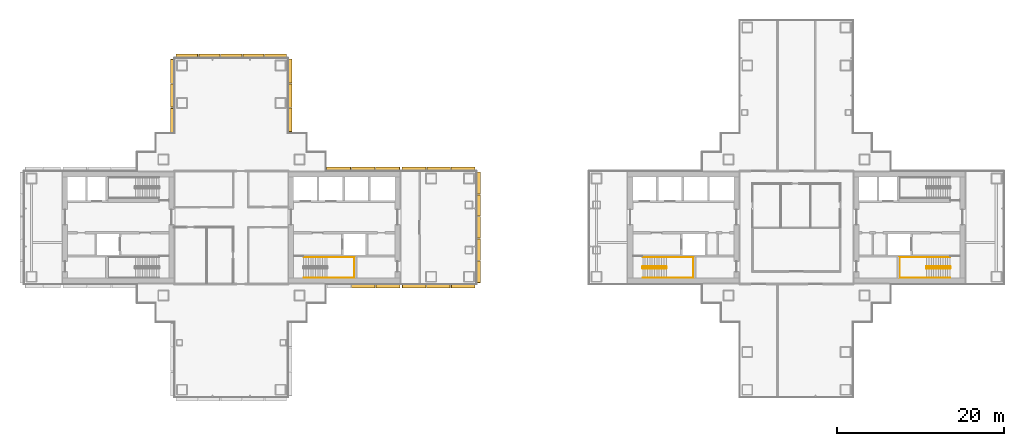
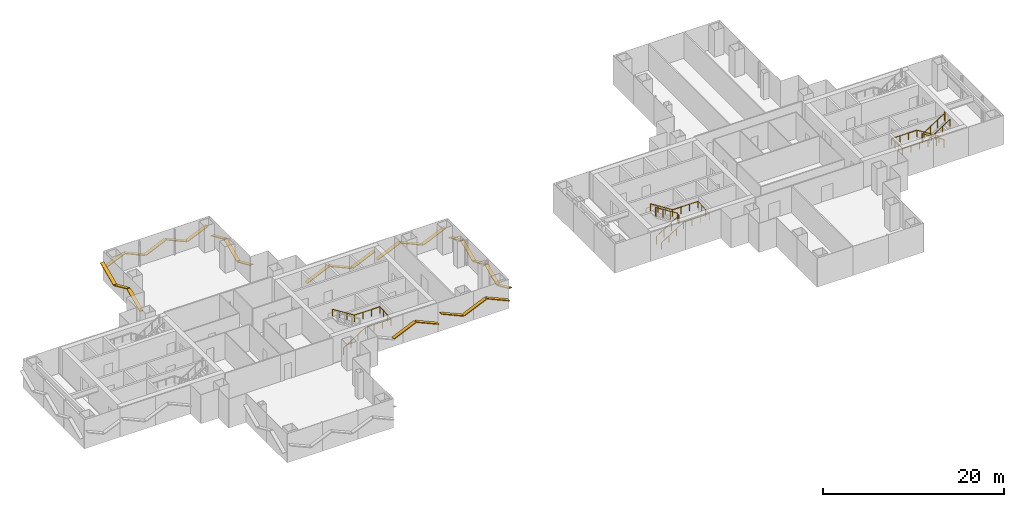
# One storey, part 17 of 18: 27 shading devices, 5 railings.
"""IFC4 building model written with IfcOpenShell, lengths in metres."""

from ifc_helpers import new_model, si_unit, direction, frame, origin, origin_2d, place, context, subcontext, project, spatial, rectangle, circle, extrude, material, material_profile, profile_set, type_object, element, save


model = new_model("IFC4")

# Units and contexts
model_context = context("Model", 3, precision=1e-05, world=origin(), true_north=direction((0.0, 1.0)))
body_context = subcontext(model_context, "Body", "Model", "MODEL_VIEW")
ifc_project = project(units=[si_unit("LENGTHUNIT", "METRE"), si_unit("AREAUNIT", "SQUARE_METRE"), si_unit("VOLUMEUNIT", "CUBIC_METRE"), si_unit("PLANEANGLEUNIT", "RADIAN"), si_unit("MASSUNIT", "GRAM", prefix="KILO")], contexts=[model_context])

# Site, building, storey
site_placement = place(None, origin())
site = spatial("IfcSite", under=ifc_project, at=site_placement, CompositionType="ELEMENT")
building_placement = place(site_placement, origin())
building = spatial("IfcBuilding", under=site, at=building_placement, Name="Shamsa Quay Exchange Towers", CompositionType="ELEMENT")
storey_placement = place(building_placement, frame((0.0, 0.0, 117.0)))
storey = spatial("IfcBuildingStorey", under=building, at=storey_placement, Name="L27", CompositionType="ELEMENT", Elevation=117.0)

# Shading devices
ifc_material_1 = material(Name="Aluminium EN AW-6063 T6, black anodised", Category="aluminium")
ifc_material_profile = material_profile(ifc_material_1, rectangle(XDim=0.449951171875, YDim=0.10009765625, at=origin_2d()), Name="FIN450x100")
ifc_profile_set = profile_set([ifc_material_profile], Name="Aluminium EN AW-6063 T6, black anodised")
shading_device_type = type_object("IfcShadingDeviceType", Name="FIN 450x100 BLACK ALUMINIUM", PredefinedType="USERDEFINED", material=ifc_profile_set)
shading_device_1_placement = place(storey_placement, frame((-19.374755859375, -7.01904296875, 0.9794921875), z_axis=(0.913550687431, 0.0, 0.406724896576), x_axis=(0.0, 1.0, 0.0)))
element("IfcShadingDevice", 1, at=shading_device_1_placement, inside=storey, type_object=shading_device_type, Name="FIN T1 chevron rib", ObjectType="FIN", PredefinedType="USERDEFINED", context=body_context, shape_type="SweptSolid", body=[
    extrude(rectangle(XDim=0.449951171875, YDim=0.10009765625, at=origin_2d()), origin(), (0.0, 0.0, 1.0), 3.051025390625),
])
shading_device_2_placement = place(storey_placement, frame((-16.4873046875, -7.01904296875, 2.231689453125), z_axis=(0.913529328323, 0.0, -0.406772868187), x_axis=(0.0, 1.0, 0.0)))
element("IfcShadingDevice", 2, at=shading_device_2_placement, inside=storey, type_object=shading_device_type, Name="FIN T1 chevron rib", ObjectType="FIN", PredefinedType="USERDEFINED", context=body_context, shape_type="SweptSolid", body=[
    extrude(rectangle(XDim=0.449951171875, YDim=0.10009765625, at=origin_2d()), origin(), (0.0, 0.0, 1.0), 3.10595703125),
])
shading_device_3_placement = place(storey_placement, frame((-13.35009765625, -7.014892578125, 2.234375), z_axis=(0.913562893981, 0.0, -0.406697478158), x_axis=(0.0, 1.0, 0.0)))
element("IfcShadingDevice", 3, at=shading_device_3_placement, inside=storey, type_object=shading_device_type, Name="FIN T1 chevron rib", ObjectType="FIN", PredefinedType="USERDEFINED", context=body_context, shape_type="SweptSolid", body=[
    extrude(rectangle(XDim=0.449951171875, YDim=0.10009765625, at=origin_2d()), origin(), (0.0, 0.0, 1.0), 3.119873046875),
])
shading_device_4_placement = place(storey_placement, frame((-10.39990234375, -7.014892578125, 0.9765625), z_axis=(0.913512380128, 0.0, 0.406810928262), x_axis=(0.0, 1.0, 0.0)))
element("IfcShadingDevice", 4, at=shading_device_4_placement, inside=storey, type_object=shading_device_type, Name="FIN T1 chevron rib", ObjectType="FIN", PredefinedType="USERDEFINED", context=body_context, shape_type="SweptSolid", body=[
    extrude(rectangle(XDim=0.449951171875, YDim=0.10009765625, at=origin_2d()), origin(), (0.0, 0.0, 1.0), 3.06494140625),
])
shading_device_5_placement = place(storey_placement, frame((-7.5, -7.014892578125, 2.234375), z_axis=(0.913562893981, 0.0, -0.406697478158), x_axis=(0.0, 1.0, 0.0)))
element("IfcShadingDevice", 5, at=shading_device_5_placement, inside=storey, type_object=shading_device_type, Name="FIN T1 chevron rib", ObjectType="FIN", PredefinedType="USERDEFINED", context=body_context, shape_type="SweptSolid", body=[
    extrude(rectangle(XDim=0.449951171875, YDim=0.10009765625, at=origin_2d()), origin(), (0.0, 0.0, 1.0), 3.119873046875),
])
shading_device_6_placement = place(storey_placement, frame((-4.235107421875, -6.60009765625, 2.176513671875), z_axis=(0.0, 0.91355925163, -0.406705659859), x_axis=(-1.0, 0.0, 0.0)))
element("IfcShadingDevice", 6, at=shading_device_6_placement, inside=storey, type_object=shading_device_type, Name="FIN T1 chevron rib", ObjectType="FIN", PredefinedType="USERDEFINED", context=body_context, shape_type="SweptSolid", body=[
    extrude(rectangle(XDim=0.449951171875, YDim=0.10009765625, at=origin_2d()), origin(), (0.0, 0.0, 1.0), 2.835205078125),
])
shading_device_7_placement = place(storey_placement, frame((-4.235107421875, -3.909912109375, 1.03466796875), z_axis=(0.0, 0.913536125794, 0.406757602103), x_axis=(-1.0, 0.0, 0.0)))
element("IfcShadingDevice", 7, at=shading_device_7_placement, inside=storey, type_object=shading_device_type, Name="FIN T1 chevron rib", ObjectType="FIN", PredefinedType="USERDEFINED", context=body_context, shape_type="SweptSolid", body=[
    extrude(rectangle(XDim=0.449951171875, YDim=0.10009765625, at=origin_2d()), origin(), (0.0, 0.0, 1.0), 2.7802734375),
])
shading_device_8_placement = place(storey_placement, frame((-4.235107421875, -1.27001953125, 2.16552734375), z_axis=(0.0, 0.913550653139, -0.4067249736), x_axis=(-1.0, 0.0, 0.0)))
element("IfcShadingDevice", 8, at=shading_device_8_placement, inside=storey, type_object=shading_device_type, Name="FIN T1 chevron rib", ObjectType="FIN", PredefinedType="USERDEFINED", context=body_context, shape_type="SweptSolid", body=[
    extrude(rectangle(XDim=0.449951171875, YDim=0.10009765625, at=origin_2d()), origin(), (0.0, 0.0, 1.0), 2.780517578125),
])
shading_device_9_placement = place(storey_placement, frame((-4.235107421875, 1.3701171875, 1.03466796875), z_axis=(0.0, 0.913536125794, 0.406757602103), x_axis=(-1.0, 0.0, 0.0)))
element("IfcShadingDevice", 9, at=shading_device_9_placement, inside=storey, type_object=shading_device_type, Name="FIN T1 chevron rib", ObjectType="FIN", PredefinedType="USERDEFINED", context=body_context, shape_type="SweptSolid", body=[
    extrude(rectangle(XDim=0.449951171875, YDim=0.10009765625, at=origin_2d()), origin(), (0.0, 0.0, 1.0), 2.7802734375),
])
shading_device_10_placement = place(storey_placement, frame((-4.235107421875, 4.010009765625, 2.176513671875), z_axis=(0.0, 0.91355925163, -0.406705659859), x_axis=(-1.0, 0.0, 0.0)))
element("IfcShadingDevice", 10, at=shading_device_10_placement, inside=storey, type_object=shading_device_type, Name="FIN T1 chevron rib", ObjectType="FIN", PredefinedType="USERDEFINED", context=body_context, shape_type="SweptSolid", body=[
    extrude(rectangle(XDim=0.449951171875, YDim=0.10009765625, at=origin_2d()), origin(), (0.0, 0.0, 1.0), 2.835205078125),
])
shading_device_11_placement = place(storey_placement, frame((-4.64990234375, 7.014892578125, 2.234375), z_axis=(-0.913562893981, 0.0, -0.406697478158), x_axis=(0.0, -1.0, 0.0)))
element("IfcShadingDevice", 11, at=shading_device_11_placement, inside=storey, type_object=shading_device_type, Name="FIN T1 chevron rib", ObjectType="FIN", PredefinedType="USERDEFINED", context=body_context, shape_type="SweptSolid", body=[
    extrude(rectangle(XDim=0.449951171875, YDim=0.10009765625, at=origin_2d()), origin(), (0.0, 0.0, 1.0), 3.119873046875),
])
shading_device_12_placement = place(storey_placement, frame((-7.60009765625, 7.014892578125, 0.9765625), z_axis=(-0.913512380128, 0.0, 0.406810928262), x_axis=(0.0, -1.0, 0.0)))
element("IfcShadingDevice", 12, at=shading_device_12_placement, inside=storey, type_object=shading_device_type, Name="FIN T1 chevron rib", ObjectType="FIN", PredefinedType="USERDEFINED", context=body_context, shape_type="SweptSolid", body=[
    extrude(rectangle(XDim=0.449951171875, YDim=0.10009765625, at=origin_2d()), origin(), (0.0, 0.0, 1.0), 3.06494140625),
])
for number, where, z_axis, x_axis, name in (
    (13, (-10.5, 7.014892578125, 2.234375), (-0.913562893981, 0.0, -0.406697478158), (0.0, -1.0, 0.0), "FIN T1 chevron rib"),
    (14, (-13.64990234375, 7.01904296875, 2.234375), (-0.913562893981, 0.0, -0.406697478158), (0.0, -1.0, 0.0), "FIN T1 chevron rib"),
):
    element("IfcShadingDevice", number, at=place(storey_placement, frame(where, z_axis=z_axis, x_axis=x_axis)), inside=storey, type_object=shading_device_type, Name=name, ObjectType="FIN", PredefinedType="USERDEFINED", context=body_context, shape_type="SweptSolid", body=[
        extrude(rectangle(XDim=0.449951171875, YDim=0.10009765625, at=origin_2d()), origin(), (0.0, 0.0, 1.0), 3.119873046875),
    ])
shading_device_13_placement = place(storey_placement, frame((-16.60009765625, 7.01904296875, 0.9765625), z_axis=(-0.913512380128, 0.0, 0.406810928262), x_axis=(0.0, -1.0, 0.0)))
element("IfcShadingDevice", 15, at=shading_device_13_placement, inside=storey, type_object=shading_device_type, Name="FIN T1 chevron rib", ObjectType="FIN", PredefinedType="USERDEFINED", context=body_context, shape_type="SweptSolid", body=[
    extrude(rectangle(XDim=0.449951171875, YDim=0.10009765625, at=origin_2d()), origin(), (0.0, 0.0, 1.0), 3.06494140625),
])
shading_device_14_placement = place(storey_placement, frame((-19.5, 7.01904296875, 2.234375), z_axis=(-0.913562893981, 0.0, -0.406697478158), x_axis=(0.0, -1.0, 0.0)))
element("IfcShadingDevice", 16, at=shading_device_14_placement, inside=storey, type_object=shading_device_type, Name="FIN T1 chevron rib", ObjectType="FIN", PredefinedType="USERDEFINED", context=body_context, shape_type="SweptSolid", body=[
    extrude(rectangle(XDim=0.449951171875, YDim=0.10009765625, at=origin_2d()), origin(), (0.0, 0.0, 1.0), 3.119873046875),
])
shading_device_15_placement = place(storey_placement, frame((-26.735107421875, 11.43798828125, 2.231689453125), z_axis=(0.0, 0.913529328323, -0.406772868187), x_axis=(-1.0, 0.0, 0.0)))
element("IfcShadingDevice", 17, at=shading_device_15_placement, inside=storey, type_object=shading_device_type, Name="FIN T1 chevron rib", ObjectType="FIN", PredefinedType="USERDEFINED", context=body_context, shape_type="SweptSolid", body=[
    extrude(rectangle(XDim=0.449951171875, YDim=0.10009765625, at=origin_2d()), origin(), (0.0, 0.0, 1.0), 3.10595703125),
])
shading_device_16_placement = place(storey_placement, frame((-26.735107421875, 14.375244140625, 0.9794921875), z_axis=(0.0, 0.913550687431, 0.406724896576), x_axis=(-1.0, 0.0, 0.0)))
element("IfcShadingDevice", 18, at=shading_device_16_placement, inside=storey, type_object=shading_device_type, Name="FIN T1 chevron rib", ObjectType="FIN", PredefinedType="USERDEFINED", context=body_context, shape_type="SweptSolid", body=[
    extrude(rectangle(XDim=0.449951171875, YDim=0.10009765625, at=origin_2d()), origin(), (0.0, 0.0, 1.0), 3.051025390625),
])
shading_device_17_placement = place(storey_placement, frame((-26.735107421875, 17.2626953125, 2.231689453125), z_axis=(0.0, 0.913529328323, -0.406772868187), x_axis=(-1.0, 0.0, 0.0)))
element("IfcShadingDevice", 19, at=shading_device_17_placement, inside=storey, type_object=shading_device_type, Name="FIN T1 chevron rib", ObjectType="FIN", PredefinedType="USERDEFINED", context=body_context, shape_type="SweptSolid", body=[
    extrude(rectangle(XDim=0.449951171875, YDim=0.10009765625, at=origin_2d()), origin(), (0.0, 0.0, 1.0), 3.10595703125),
])
shading_device_18_placement = place(storey_placement, frame((-27.14990234375, 20.514892578125, 2.176513671875), z_axis=(-0.91355925163, 0.0, -0.406705659859), x_axis=(0.0, -1.0, 0.0)))
element("IfcShadingDevice", 20, at=shading_device_18_placement, inside=storey, type_object=shading_device_type, Name="FIN T1 chevron rib", ObjectType="FIN", PredefinedType="USERDEFINED", context=body_context, shape_type="SweptSolid", body=[
    extrude(rectangle(XDim=0.449951171875, YDim=0.10009765625, at=origin_2d()), origin(), (0.0, 0.0, 1.0), 2.835205078125),
])
shading_device_19_placement = place(storey_placement, frame((-29.840087890625, 20.514892578125, 1.03466796875), z_axis=(-0.913536125794, 0.0, 0.406757602103), x_axis=(0.0, -1.0, 0.0)))
element("IfcShadingDevice", 21, at=shading_device_19_placement, inside=storey, type_object=shading_device_type, Name="FIN T1 chevron rib", ObjectType="FIN", PredefinedType="USERDEFINED", context=body_context, shape_type="SweptSolid", body=[
    extrude(rectangle(XDim=0.449951171875, YDim=0.10009765625, at=origin_2d()), origin(), (0.0, 0.0, 1.0), 2.7802734375),
])
shading_device_20_placement = place(storey_placement, frame((-32.47998046875, 20.514892578125, 2.16552734375), z_axis=(-0.913550653139, 0.0, -0.4067249736), x_axis=(0.0, -1.0, 0.0)))
element("IfcShadingDevice", 22, at=shading_device_20_placement, inside=storey, type_object=shading_device_type, Name="FIN T1 chevron rib", ObjectType="FIN", PredefinedType="USERDEFINED", context=body_context, shape_type="SweptSolid", body=[
    extrude(rectangle(XDim=0.449951171875, YDim=0.10009765625, at=origin_2d()), origin(), (0.0, 0.0, 1.0), 2.780517578125),
])
shading_device_21_placement = place(storey_placement, frame((-35.1201171875, 20.514892578125, 1.03466796875), z_axis=(-0.913536125794, 0.0, 0.406757602103), x_axis=(0.0, -1.0, 0.0)))
element("IfcShadingDevice", 23, at=shading_device_21_placement, inside=storey, type_object=shading_device_type, Name="FIN T1 chevron rib", ObjectType="FIN", PredefinedType="USERDEFINED", context=body_context, shape_type="SweptSolid", body=[
    extrude(rectangle(XDim=0.449951171875, YDim=0.10009765625, at=origin_2d()), origin(), (0.0, 0.0, 1.0), 2.7802734375),
])
shading_device_22_placement = place(storey_placement, frame((-37.760009765625, 20.514892578125, 2.176513671875), z_axis=(-0.91355925163, 0.0, -0.406705659859), x_axis=(0.0, -1.0, 0.0)))
element("IfcShadingDevice", 24, at=shading_device_22_placement, inside=storey, type_object=shading_device_type, Name="FIN T1 chevron rib", ObjectType="FIN", PredefinedType="USERDEFINED", context=body_context, shape_type="SweptSolid", body=[
    extrude(rectangle(XDim=0.449951171875, YDim=0.10009765625, at=origin_2d()), origin(), (0.0, 0.0, 1.0), 2.835205078125),
])
shading_device_23_placement = place(storey_placement, frame((-40.764892578125, 20.10009765625, 2.234375), z_axis=(0.0, -0.913562893981, -0.406697478158), x_axis=(1.0, 0.0, 0.0)))
element("IfcShadingDevice", 25, at=shading_device_23_placement, inside=storey, type_object=shading_device_type, Name="FIN T1 chevron rib", ObjectType="FIN", PredefinedType="USERDEFINED", context=body_context, shape_type="SweptSolid", body=[
    extrude(rectangle(XDim=0.449951171875, YDim=0.10009765625, at=origin_2d()), origin(), (0.0, 0.0, 1.0), 3.119873046875),
])
shading_device_24_placement = place(storey_placement, frame((-40.764892578125, 17.14990234375, 0.9765625), z_axis=(0.0, -0.913512380128, 0.406810928262), x_axis=(1.0, 0.0, 0.0)))
element("IfcShadingDevice", 26, at=shading_device_24_placement, inside=storey, type_object=shading_device_type, Name="FIN T1 chevron rib", ObjectType="FIN", PredefinedType="USERDEFINED", context=body_context, shape_type="SweptSolid", body=[
    extrude(rectangle(XDim=0.449951171875, YDim=0.10009765625, at=origin_2d()), origin(), (0.0, 0.0, 1.0), 3.06494140625),
])
shading_device_25_placement = place(storey_placement, frame((-40.764892578125, 14.25, 2.234375), z_axis=(0.0, -0.913562893981, -0.406697478158), x_axis=(1.0, 0.0, 0.0)))
element("IfcShadingDevice", 27, at=shading_device_25_placement, inside=storey, type_object=shading_device_type, Name="FIN T1 chevron rib", ObjectType="FIN", PredefinedType="USERDEFINED", context=body_context, shape_type="SweptSolid", body=[
    extrude(rectangle(XDim=0.449951171875, YDim=0.10009765625, at=origin_2d()), origin(), (0.0, 0.0, 1.0), 3.119873046875),
])

# Railings
ifc_material_2 = material(Name="Stainless steel", Category="steel")
railing_type_1 = type_object("IfcRailingType", Name="STAIR GUARD 1100", PredefinedType="GUARDRAIL", material=ifc_material_2)
railing_1_placement = place(storey_placement, frame((15.39990234375, -4.89990234375, 0.17724609375)))
element("IfcRailing", 28, at=railing_1_placement, inside=storey, type_object=railing_type_1, Name="L27 ST4 stair guard 1", PredefinedType="GUARDRAIL", context=body_context, shape_type="SweptSolid", body=[
    extrude(circle(Radius=0.02392578125, at=origin_2d()), frame((0.0, 0.0, 1.076171875), z_axis=(0.844908973607, 0.0, 0.534910110503), x_axis=(0.0, 1.0, 0.0)), (0.0, 0.0, 1.0), 3.31396484375),
    extrude(circle(Radius=0.02392578125, at=origin_2d()), frame((2.800048828125, 0.0, 2.8486328125), z_axis=(0.708833529934, 0.705375805398, 0.0), x_axis=(-0.705375805398, 0.708833529934, 0.0)), (0.0, 0.0, 1.0), 0.070556640625),
    extrude(circle(Radius=0.02392578125, at=origin_2d()), frame((2.85009765625, 0.0498046875, 2.8486328125), z_axis=(0.0, 1.0, 0.0), x_axis=(-1.0, 0.0, 0.0)), (0.0, 0.0, 1.0), 0.150146484375),
    extrude(circle(Radius=0.02392578125, at=origin_2d()), frame((2.85009765625, 0.199951171875, 2.8486328125), z_axis=(-0.262233686654, 0.262233686654, 0.928691007369), x_axis=(-0.707106781187, -0.707106781187, 0.0)), (0.0, 0.0, 1.0), 0.19091796875),
    extrude(circle(Radius=0.02392578125, at=origin_2d()), frame((2.800048828125, 0.25, 3.02587890625), z_axis=(-0.844908973607, 0.0, 0.534910110503), x_axis=(0.0, -1.0, 0.0)), (0.0, 0.0, 1.0), 3.31396484375),
    extrude(circle(Radius=0.02392578125, at=origin_2d()), frame((0.0, 0.25, 4.798828125), z_axis=(-0.24142163986, -0.970420317083, 0.0), x_axis=(0.970420317083, -0.24142163986, 0.0)), (0.0, 0.0, 1.0), 0.206298828125),
    extrude(circle(Radius=0.02392578125, at=origin_2d()), frame((-0.0498046875, 0.0498046875, 4.798828125), z_axis=(0.0, 1.0, 0.0), x_axis=(-1.0, 0.0, 0.0)), (0.0, 0.0, 1.0), 0.150146484375),
    extrude(circle(Radius=0.02099609375, at=origin_2d()), origin(), (0.0, 0.0, 1.0), 1.052001953125),
    extrude(circle(Radius=0.02099609375, at=origin_2d()), frame((0.933349609375, 0.0, 0.5908203125)), (0.0, 0.0, 1.0), 1.052001953125),
    extrude(circle(Radius=0.02099609375, at=origin_2d()), frame((1.86669921875, 0.0, 1.181884765625)), (0.0, 0.0, 1.0), 1.052001953125),
    extrude(circle(Radius=0.02099609375, at=origin_2d()), frame((2.800048828125, 0.0, 1.772705078125)), (0.0, 0.0, 1.0), 1.052001953125),
    extrude(circle(Radius=0.02099609375, at=origin_2d()), frame((2.85009765625, 0.0498046875, 1.772705078125)), (0.0, 0.0, 1.0), 1.052001953125),
    extrude(circle(Radius=0.02099609375, at=origin_2d()), frame((2.85009765625, 0.199951171875, 1.772705078125)), (0.0, 0.0, 1.0), 1.052001953125),
    extrude(circle(Radius=0.02099609375, at=origin_2d()), frame((2.800048828125, 0.25, 1.949951171875)), (0.0, 0.0, 1.0), 1.052001953125),
    extrude(circle(Radius=0.02099609375, at=origin_2d()), frame((1.86669921875, 0.25, 2.540771484375)), (0.0, 0.0, 1.0), 1.052001953125),
    extrude(circle(Radius=0.02099609375, at=origin_2d()), frame((0.933349609375, 0.25, 3.1318359375)), (0.0, 0.0, 1.0), 1.052001953125),
    extrude(circle(Radius=0.02099609375, at=origin_2d()), frame((0.0, 0.25, 3.72265625)), (0.0, 0.0, 1.0), 1.052001953125),
    extrude(circle(Radius=0.02099609375, at=origin_2d()), frame((-0.0498046875, 0.0498046875, 3.72265625)), (0.0, 0.0, 1.0), 1.052001953125),
    extrude(circle(Radius=0.02099609375, at=origin_2d()), frame((-0.0498046875, 0.199951171875, 3.72265625)), (0.0, 0.0, 1.0), 1.052001953125),
])
railing_2_placement = place(storey_placement, frame((52.10009765625, -4.64990234375, 0.17724609375)))
element("IfcRailing", 29, at=railing_2_placement, inside=storey, type_object=railing_type_1, Name="L27 ST5 stair guard 1", PredefinedType="GUARDRAIL", context=body_context, shape_type="SweptSolid", body=[
    extrude(circle(Radius=0.02392578125, at=origin_2d()), frame((0.0, 0.0, 1.076171875), z_axis=(-0.844908973607, 0.0, 0.534910110503), x_axis=(0.0, -1.0, 0.0)), (0.0, 0.0, 1.0), 3.31396484375),
    extrude(circle(Radius=0.02392578125, at=origin_2d()), frame((-2.800048828125, 0.0, 2.8486328125), z_axis=(-0.707106781187, -0.707106781187, 0.0), x_axis=(0.707106781187, -0.707106781187, 0.0)), (0.0, 0.0, 1.0), 0.07080078125),
    extrude(circle(Radius=0.02392578125, at=origin_2d()), frame((-2.85009765625, -0.050048828125, 2.8486328125), z_axis=(0.0, -1.0, 0.0), x_axis=(1.0, 0.0, 0.0)), (0.0, 0.0, 1.0), 0.150146484375),
    extrude(circle(Radius=0.02392578125, at=origin_2d()), frame((-2.85009765625, -0.2001953125, 2.8486328125), z_axis=(0.262321481514, -0.261041864531, 0.929001929653), x_axis=(0.705375805398, 0.708833529934, 0.0)), (0.0, 0.0, 1.0), 0.190673828125),
    extrude(circle(Radius=0.02392578125, at=origin_2d()), frame((-2.800048828125, -0.25, 3.02587890625), z_axis=(0.844908973607, 0.0, 0.534910110503), x_axis=(0.0, 1.0, 0.0)), (0.0, 0.0, 1.0), 3.31396484375),
    extrude(circle(Radius=0.02392578125, at=origin_2d()), frame((0.0, -0.25, 4.798828125), z_axis=(0.241699205484, 0.970351222016, 0.0), x_axis=(-0.970351222016, 0.241699205484, 0.0)), (0.0, 0.0, 1.0), 0.2060546875),
    extrude(circle(Radius=0.02392578125, at=origin_2d()), frame((0.0498046875, -0.050048828125, 4.798828125), z_axis=(0.0, -1.0, 0.0), x_axis=(1.0, 0.0, 0.0)), (0.0, 0.0, 1.0), 0.150146484375),
    extrude(circle(Radius=0.02099609375, at=origin_2d()), origin(), (0.0, 0.0, 1.0), 1.052001953125),
    extrude(circle(Radius=0.02099609375, at=origin_2d()), frame((-0.933349609375, 0.0, 0.5908203125)), (0.0, 0.0, 1.0), 1.052001953125),
    extrude(circle(Radius=0.02099609375, at=origin_2d()), frame((-1.86669921875, 0.0, 1.181884765625)), (0.0, 0.0, 1.0), 1.052001953125),
    extrude(circle(Radius=0.02099609375, at=origin_2d()), frame((-2.800048828125, 0.0, 1.772705078125)), (0.0, 0.0, 1.0), 1.052001953125),
    extrude(circle(Radius=0.02099609375, at=origin_2d()), frame((-2.85009765625, -0.050048828125, 1.772705078125)), (0.0, 0.0, 1.0), 1.052001953125),
    extrude(circle(Radius=0.02099609375, at=origin_2d()), frame((-2.85009765625, -0.2001953125, 1.772705078125)), (0.0, 0.0, 1.0), 1.052001953125),
    extrude(circle(Radius=0.02099609375, at=origin_2d()), frame((-2.800048828125, -0.25, 1.949951171875)), (0.0, 0.0, 1.0), 1.052001953125),
    extrude(circle(Radius=0.02099609375, at=origin_2d()), frame((-1.86669921875, -0.25, 2.540771484375)), (0.0, 0.0, 1.0), 1.052001953125),
    extrude(circle(Radius=0.02099609375, at=origin_2d()), frame((-0.933349609375, -0.25, 3.1318359375)), (0.0, 0.0, 1.0), 1.052001953125),
    extrude(circle(Radius=0.02099609375, at=origin_2d()), frame((0.0, -0.25, 3.72265625)), (0.0, 0.0, 1.0), 1.052001953125),
    extrude(circle(Radius=0.02099609375, at=origin_2d()), frame((0.0498046875, -0.050048828125, 3.72265625)), (0.0, 0.0, 1.0), 1.052001953125),
    extrude(circle(Radius=0.02099609375, at=origin_2d()), frame((0.0498046875, -0.2001953125, 3.72265625)), (0.0, 0.0, 1.0), 1.052001953125),
])
railing_type_2 = type_object("IfcRailingType", Name="STAIR HANDRAIL 900", PredefinedType="HANDRAIL", material=ifc_material_2)
railing_3_placement = place(storey_placement, frame((-25.10009765625, -6.0, 0.17724609375)))
element("IfcRailing", 30, at=railing_3_placement, inside=storey, type_object=railing_type_2, Name="L27 ST1 stair handrail 1", PredefinedType="HANDRAIL", context=body_context, shape_type="SweptSolid", body=[
    extrude(circle(Radius=0.02392578125, at=origin_2d()), frame((0.0, 0.0, 0.8759765625), z_axis=(0.844908973607, 0.0, 0.534910110503), x_axis=(0.0, 1.0, 0.0)), (0.0, 0.0, 1.0), 3.31396484375),
    extrude(circle(Radius=0.02392578125, at=origin_2d()), frame((2.800048828125, 0.0, 2.6484375), z_axis=(1.0, 0.0, 0.0), x_axis=(0.0, 1.0, 0.0)), (0.0, 0.0, 1.0), 3.25),
    extrude(circle(Radius=0.02392578125, at=origin_2d()), frame((6.050048828125, 0.0, 2.6484375), z_axis=(0.0, 0.997393199914, 0.07215819264), x_axis=(-1.0, 0.0, 0.0)), (0.0, 0.0, 1.0), 2.456298828125),
    extrude(circle(Radius=0.02392578125, at=origin_2d()), frame((6.050048828125, 2.449951171875, 2.82568359375), z_axis=(-1.0, 0.0, 0.0), x_axis=(0.0, -1.0, 0.0)), (0.0, 0.0, 1.0), 3.25),
    extrude(circle(Radius=0.02392578125, at=origin_2d()), frame((2.800048828125, 2.449951171875, 2.82568359375), z_axis=(-0.844908973607, 0.0, 0.534910110503), x_axis=(0.0, -1.0, 0.0)), (0.0, 0.0, 1.0), 3.31396484375),
    extrude(circle(Radius=0.02099609375, at=origin_2d()), origin(), (0.0, 0.0, 1.0), 0.851806640625),
    extrude(circle(Radius=0.02099609375, at=origin_2d()), frame((0.933349609375, 0.0, 0.5908203125)), (0.0, 0.0, 1.0), 0.851806640625),
    extrude(circle(Radius=0.02099609375, at=origin_2d()), frame((1.86669921875, 0.0, 1.181884765625)), (0.0, 0.0, 1.0), 0.851806640625),
    extrude(circle(Radius=0.02099609375, at=origin_2d()), frame((2.800048828125, 0.0, 1.772705078125)), (0.0, 0.0, 1.0), 0.851806640625),
    extrude(circle(Radius=0.02099609375, at=origin_2d()), frame((3.88330078125, 0.0, 1.772705078125)), (0.0, 0.0, 1.0), 0.851806640625),
    extrude(circle(Radius=0.02099609375, at=origin_2d()), frame((4.966796875, 0.0, 1.772705078125)), (0.0, 0.0, 1.0), 0.851806640625),
    extrude(circle(Radius=0.02099609375, at=origin_2d()), frame((6.050048828125, 0.0, 1.772705078125)), (0.0, 0.0, 1.0), 0.851806640625),
    extrude(circle(Radius=0.02099609375, at=origin_2d()), frame((6.050048828125, 0.816650390625, 1.831787109375)), (0.0, 0.0, 1.0), 0.851806640625),
    extrude(circle(Radius=0.02099609375, at=origin_2d()), frame((6.050048828125, 1.63330078125, 1.890869140625)), (0.0, 0.0, 1.0), 0.851806640625),
    extrude(circle(Radius=0.02099609375, at=origin_2d()), frame((6.050048828125, 2.449951171875, 1.949951171875)), (0.0, 0.0, 1.0), 0.851806640625),
    extrude(circle(Radius=0.02099609375, at=origin_2d()), frame((4.966796875, 2.449951171875, 1.949951171875)), (0.0, 0.0, 1.0), 0.851806640625),
    extrude(circle(Radius=0.02099609375, at=origin_2d()), frame((3.88330078125, 2.449951171875, 1.949951171875)), (0.0, 0.0, 1.0), 0.851806640625),
    extrude(circle(Radius=0.02099609375, at=origin_2d()), frame((2.800048828125, 2.449951171875, 1.949951171875)), (0.0, 0.0, 1.0), 0.851806640625),
    extrude(circle(Radius=0.02099609375, at=origin_2d()), frame((1.86669921875, 2.449951171875, 2.540771484375)), (0.0, 0.0, 1.0), 0.851806640625),
    extrude(circle(Radius=0.02099609375, at=origin_2d()), frame((0.933349609375, 2.449951171875, 3.1318359375)), (0.0, 0.0, 1.0), 0.851806640625),
    extrude(circle(Radius=0.02099609375, at=origin_2d()), frame((0.0, 2.449951171875, 3.72265625)), (0.0, 0.0, 1.0), 0.851806640625),
])
railing_4_placement = place(storey_placement, frame((15.39990234375, -6.0, 0.17724609375)))
element("IfcRailing", 31, at=railing_4_placement, inside=storey, type_object=railing_type_2, Name="L27 ST4 stair handrail 1", PredefinedType="HANDRAIL", context=body_context, shape_type="SweptSolid", body=[
    extrude(circle(Radius=0.02392578125, at=origin_2d()), frame((0.0, 0.0, 0.8759765625), z_axis=(0.844908973607, 0.0, 0.534910110503), x_axis=(0.0, 1.0, 0.0)), (0.0, 0.0, 1.0), 3.31396484375),
    extrude(circle(Radius=0.02392578125, at=origin_2d()), frame((2.800048828125, 0.0, 2.6484375), z_axis=(1.0, 0.0, 0.0), x_axis=(0.0, 1.0, 0.0)), (0.0, 0.0, 1.0), 3.25),
    extrude(circle(Radius=0.02392578125, at=origin_2d()), frame((6.050048828125, 0.0, 2.6484375), z_axis=(0.0, 0.997393199914, 0.07215819264), x_axis=(-1.0, 0.0, 0.0)), (0.0, 0.0, 1.0), 2.456298828125),
    extrude(circle(Radius=0.02392578125, at=origin_2d()), frame((6.050048828125, 2.449951171875, 2.82568359375), z_axis=(-1.0, 0.0, 0.0), x_axis=(0.0, -1.0, 0.0)), (0.0, 0.0, 1.0), 3.25),
    extrude(circle(Radius=0.02392578125, at=origin_2d()), frame((2.800048828125, 2.449951171875, 2.82568359375), z_axis=(-0.844908973607, 0.0, 0.534910110503), x_axis=(0.0, -1.0, 0.0)), (0.0, 0.0, 1.0), 3.31396484375),
    extrude(circle(Radius=0.02099609375, at=origin_2d()), origin(), (0.0, 0.0, 1.0), 0.851806640625),
    extrude(circle(Radius=0.02099609375, at=origin_2d()), frame((0.933349609375, 0.0, 0.5908203125)), (0.0, 0.0, 1.0), 0.851806640625),
    extrude(circle(Radius=0.02099609375, at=origin_2d()), frame((1.86669921875, 0.0, 1.181884765625)), (0.0, 0.0, 1.0), 0.851806640625),
    extrude(circle(Radius=0.02099609375, at=origin_2d()), frame((2.800048828125, 0.0, 1.772705078125)), (0.0, 0.0, 1.0), 0.851806640625),
    extrude(circle(Radius=0.02099609375, at=origin_2d()), frame((3.88330078125, 0.0, 1.772705078125)), (0.0, 0.0, 1.0), 0.851806640625),
    extrude(circle(Radius=0.02099609375, at=origin_2d()), frame((4.966796875, 0.0, 1.772705078125)), (0.0, 0.0, 1.0), 0.851806640625),
    extrude(circle(Radius=0.02099609375, at=origin_2d()), frame((6.050048828125, 0.0, 1.772705078125)), (0.0, 0.0, 1.0), 0.851806640625),
    extrude(circle(Radius=0.02099609375, at=origin_2d()), frame((6.050048828125, 0.816650390625, 1.831787109375)), (0.0, 0.0, 1.0), 0.851806640625),
    extrude(circle(Radius=0.02099609375, at=origin_2d()), frame((6.050048828125, 1.63330078125, 1.890869140625)), (0.0, 0.0, 1.0), 0.851806640625),
    extrude(circle(Radius=0.02099609375, at=origin_2d()), frame((6.050048828125, 2.449951171875, 1.949951171875)), (0.0, 0.0, 1.0), 0.851806640625),
    extrude(circle(Radius=0.02099609375, at=origin_2d()), frame((4.966796875, 2.449951171875, 1.949951171875)), (0.0, 0.0, 1.0), 0.851806640625),
    extrude(circle(Radius=0.02099609375, at=origin_2d()), frame((3.88330078125, 2.449951171875, 1.949951171875)), (0.0, 0.0, 1.0), 0.851806640625),
    extrude(circle(Radius=0.02099609375, at=origin_2d()), frame((2.800048828125, 2.449951171875, 1.949951171875)), (0.0, 0.0, 1.0), 0.851806640625),
    extrude(circle(Radius=0.02099609375, at=origin_2d()), frame((1.86669921875, 2.449951171875, 2.540771484375)), (0.0, 0.0, 1.0), 0.851806640625),
    extrude(circle(Radius=0.02099609375, at=origin_2d()), frame((0.933349609375, 2.449951171875, 3.1318359375)), (0.0, 0.0, 1.0), 0.851806640625),
    extrude(circle(Radius=0.02099609375, at=origin_2d()), frame((0.0, 2.449951171875, 3.72265625)), (0.0, 0.0, 1.0), 0.851806640625),
])
railing_5_placement = place(storey_placement, frame((52.10009765625, -3.550048828125, 0.17724609375)))
element("IfcRailing", 32, at=railing_5_placement, inside=storey, type_object=railing_type_2, Name="L27 ST5 stair handrail 1", PredefinedType="HANDRAIL", context=body_context, shape_type="SweptSolid", body=[
    extrude(circle(Radius=0.02392578125, at=origin_2d()), frame((0.0, 0.0, 0.8759765625), z_axis=(-0.844908973607, 0.0, 0.534910110503), x_axis=(0.0, -1.0, 0.0)), (0.0, 0.0, 1.0), 3.31396484375),
    extrude(circle(Radius=0.02392578125, at=origin_2d()), frame((-2.800048828125, 0.0, 2.6484375), z_axis=(-1.0, 0.0, 0.0), x_axis=(0.0, -1.0, 0.0)), (0.0, 0.0, 1.0), 3.25),
    extrude(circle(Radius=0.02392578125, at=origin_2d()), frame((-6.050048828125, 0.0, 2.6484375), z_axis=(0.0, -0.997393199914, 0.07215819264), x_axis=(1.0, 0.0, 0.0)), (0.0, 0.0, 1.0), 2.456298828125),
    extrude(circle(Radius=0.02392578125, at=origin_2d()), frame((-6.050048828125, -2.449951171875, 2.82568359375), z_axis=(1.0, 0.0, 0.0), x_axis=(0.0, 1.0, 0.0)), (0.0, 0.0, 1.0), 3.25),
    extrude(circle(Radius=0.02392578125, at=origin_2d()), frame((-2.800048828125, -2.449951171875, 2.82568359375), z_axis=(0.844908973607, 0.0, 0.534910110503), x_axis=(0.0, 1.0, 0.0)), (0.0, 0.0, 1.0), 3.31396484375),
    extrude(circle(Radius=0.02099609375, at=origin_2d()), origin(), (0.0, 0.0, 1.0), 0.851806640625),
    extrude(circle(Radius=0.02099609375, at=origin_2d()), frame((-0.933349609375, 0.0, 0.5908203125)), (0.0, 0.0, 1.0), 0.851806640625),
    extrude(circle(Radius=0.02099609375, at=origin_2d()), frame((-1.86669921875, 0.0, 1.181884765625)), (0.0, 0.0, 1.0), 0.851806640625),
    extrude(circle(Radius=0.02099609375, at=origin_2d()), frame((-2.800048828125, 0.0, 1.772705078125)), (0.0, 0.0, 1.0), 0.851806640625),
    extrude(circle(Radius=0.02099609375, at=origin_2d()), frame((-3.88330078125, 0.0, 1.772705078125)), (0.0, 0.0, 1.0), 0.851806640625),
    extrude(circle(Radius=0.02099609375, at=origin_2d()), frame((-4.966796875, 0.0, 1.772705078125)), (0.0, 0.0, 1.0), 0.851806640625),
    extrude(circle(Radius=0.02099609375, at=origin_2d()), frame((-6.050048828125, 0.0, 1.772705078125)), (0.0, 0.0, 1.0), 0.851806640625),
    extrude(circle(Radius=0.02099609375, at=origin_2d()), frame((-6.050048828125, -0.816650390625, 1.831787109375)), (0.0, 0.0, 1.0), 0.851806640625),
    extrude(circle(Radius=0.02099609375, at=origin_2d()), frame((-6.050048828125, -1.63330078125, 1.890869140625)), (0.0, 0.0, 1.0), 0.851806640625),
    extrude(circle(Radius=0.02099609375, at=origin_2d()), frame((-6.050048828125, -2.449951171875, 1.949951171875)), (0.0, 0.0, 1.0), 0.851806640625),
    extrude(circle(Radius=0.02099609375, at=origin_2d()), frame((-4.966796875, -2.449951171875, 1.949951171875)), (0.0, 0.0, 1.0), 0.851806640625),
    extrude(circle(Radius=0.02099609375, at=origin_2d()), frame((-3.88330078125, -2.449951171875, 1.949951171875)), (0.0, 0.0, 1.0), 0.851806640625),
    extrude(circle(Radius=0.02099609375, at=origin_2d()), frame((-2.800048828125, -2.449951171875, 1.949951171875)), (0.0, 0.0, 1.0), 0.851806640625),
    extrude(circle(Radius=0.02099609375, at=origin_2d()), frame((-1.86669921875, -2.449951171875, 2.540771484375)), (0.0, 0.0, 1.0), 0.851806640625),
    extrude(circle(Radius=0.02099609375, at=origin_2d()), frame((-0.933349609375, -2.449951171875, 3.1318359375)), (0.0, 0.0, 1.0), 0.851806640625),
    extrude(circle(Radius=0.02099609375, at=origin_2d()), frame((0.0, -2.449951171875, 3.72265625)), (0.0, 0.0, 1.0), 0.851806640625),
])

save(model, "model.ifc")
